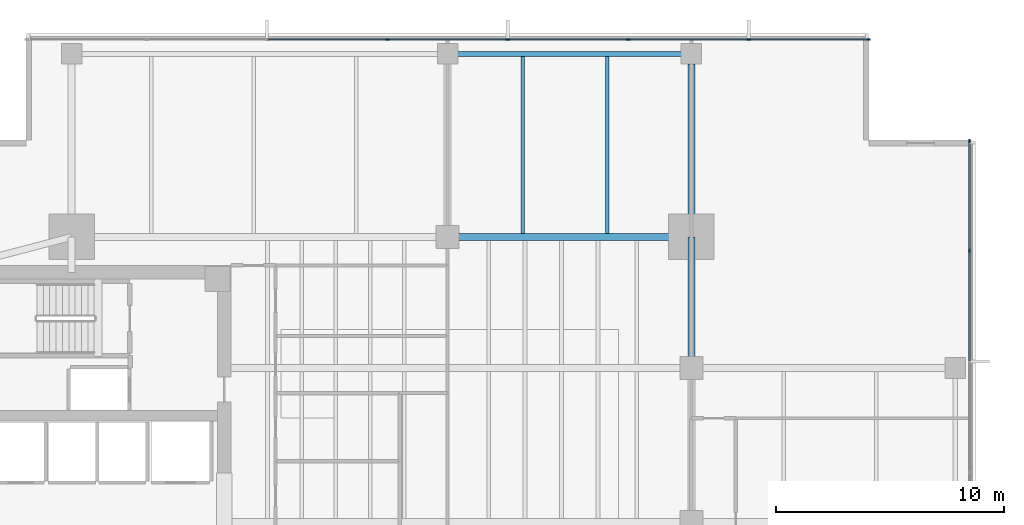
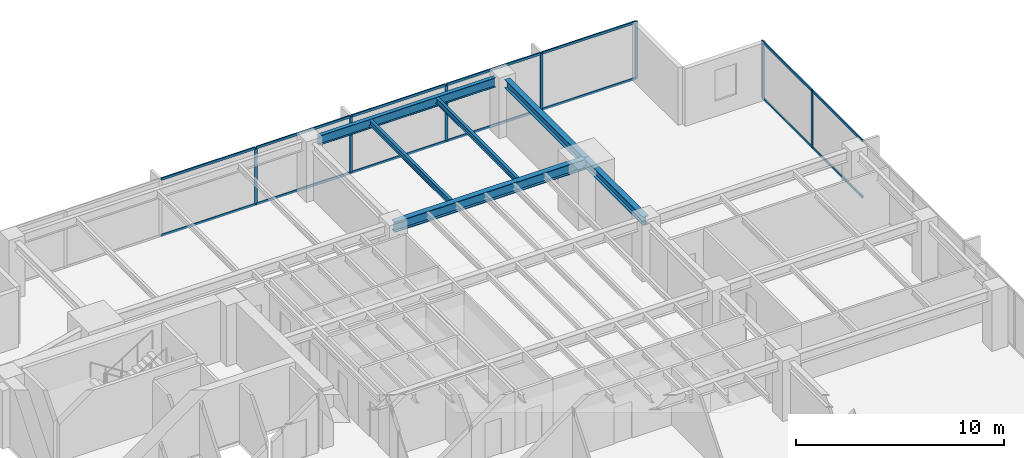
# One storey, part 6 of 15: 21 members, 6 beams, 2 elements without a shape of their own.
"""IFC4 building model written with IfcOpenShell, lengths in metres."""

from ifc_helpers import new_model, si_unit, direction, frame, origin, origin_2d, place, context, subcontext, project, spatial, rectangle, i_section, extrude, material, layer, layer_set, material_profile, profile_set, type_object, element, aggregate, save


model = new_model("IFC4")

# Units and contexts
model_context = context("Model", 3, precision=1e-05, world=origin(), true_north=direction((0.0, 1.0)))
body_context = subcontext(model_context, "Body", "Model", "MODEL_VIEW")
ifc_project = project(units=[si_unit("LENGTHUNIT", "METRE"), si_unit("AREAUNIT", "SQUARE_METRE"), si_unit("VOLUMEUNIT", "CUBIC_METRE"), si_unit("PLANEANGLEUNIT", "RADIAN"), si_unit("MASSUNIT", "GRAM", prefix="KILO")], contexts=[model_context])

# Site, building, storey
site_placement = place(None, origin())
site = spatial("IfcSite", under=ifc_project, at=site_placement, CompositionType="ELEMENT")
building_placement = place(site_placement, origin())
building = spatial("IfcBuilding", under=site, at=building_placement, Name="Kinhvarn Gate Tower", CompositionType="ELEMENT")
storey_placement = place(building_placement, frame((0.0, 0.0, 112.89990234375)))
storey = spatial("IfcBuildingStorey", under=building, at=storey_placement, Name="L29", CompositionType="ELEMENT", Elevation=112.89990234375)

# Curtain wall, members
ifc_material_1 = material(Name="Anodised aluminium AW-6063", Category="aluminium")
ifc_layer = layer(ifc_material_1, 0.179931640625)
ifc_layer_set = layer_set([ifc_layer], Name="Anodised aluminium AW-6063")
curtain_wall_type = type_object("IfcCurtainWallType", Name="CW-SYS-3", PredefinedType="NOTDEFINED", material=ifc_layer_set)
curtain_wall_1_placement = place(storey_placement, origin())
curtain_wall_1 = element("IfcCurtainWall", 1, at=curtain_wall_1_placement, inside=storey, type_object=curtain_wall_type, Name="Curtain Wall CW3 (L29)", PredefinedType="NOTDEFINED")
ifc_material_profile_1 = material_profile(ifc_material_1, rectangle(XDim=0.06494140625, YDim=0.159912109375, at=origin_2d()), Name="ALU 65x160")
ifc_profile_set_1 = profile_set([ifc_material_profile_1], Name="Anodised aluminium AW-6063")
member_type_1 = type_object("IfcMemberType", Name="CW-MUL-160", PredefinedType="MULLION", material=ifc_profile_set_1)
member_1_placement = place(storey_placement, frame((45.967529296875, 46.409912109375, 0.0), z_axis=(0.0, 0.0, 1.0), x_axis=(0.0, -1.0, 0.0)))
member_1 = element("IfcMember", 2, at=member_1_placement, type_object=member_type_1, Name="CW3 mullion 1", PredefinedType="MULLION", context=body_context, shape_type="SweptSolid", body=[
    extrude(rectangle(XDim=0.06494140625, YDim=0.159912109375, at=origin_2d()), origin(), (0.0, 0.0, 1.0), 3.3701171875),
])
member_2_placement = place(storey_placement, frame((40.71435546875, 46.409912109375, 0.0), z_axis=(0.0, 0.0, 1.0), x_axis=(0.0, -1.0, 0.0)))
member_2 = element("IfcMember", 3, at=member_2_placement, type_object=member_type_1, Name="CW3 mullion 2", PredefinedType="MULLION", context=body_context, shape_type="SweptSolid", body=[
    extrude(rectangle(XDim=0.06494140625, YDim=0.159912109375, at=origin_2d()), origin(), (0.0, 0.0, 1.0), 3.3701171875),
])
member_3_placement = place(storey_placement, frame((35.428466796875, 46.409912109375, 0.0), z_axis=(0.0, 0.0, 1.0), x_axis=(0.0, -1.0, 0.0)))
member_3 = element("IfcMember", 4, at=member_3_placement, type_object=member_type_1, Name="CW3 mullion 3", PredefinedType="MULLION", context=body_context, shape_type="SweptSolid", body=[
    extrude(rectangle(XDim=0.06494140625, YDim=0.159912109375, at=origin_2d()), origin(), (0.0, 0.0, 1.0), 3.3701171875),
])
member_4_placement = place(storey_placement, frame((30.142822265625, 46.409912109375, 0.0), z_axis=(0.0, 0.0, 1.0), x_axis=(0.0, -1.0, 0.0)))
member_4 = element("IfcMember", 5, at=member_4_placement, type_object=member_type_1, Name="CW3 mullion 4", PredefinedType="MULLION", context=body_context, shape_type="SweptSolid", body=[
    extrude(rectangle(XDim=0.06494140625, YDim=0.159912109375, at=origin_2d()), origin(), (0.0, 0.0, 1.0), 3.3701171875),
])
member_5_placement = place(storey_placement, frame((24.857177734375, 46.409912109375, 0.0), z_axis=(0.0, 0.0, 1.0), x_axis=(0.0, -1.0, 0.0)))
member_5 = element("IfcMember", 6, at=member_5_placement, type_object=member_type_1, Name="CW3 mullion 5", PredefinedType="MULLION", context=body_context, shape_type="SweptSolid", body=[
    extrude(rectangle(XDim=0.06494140625, YDim=0.159912109375, at=origin_2d()), origin(), (0.0, 0.0, 1.0), 3.3701171875),
])

curtain_wall_2_placement = place(storey_placement, origin())
curtain_wall_2 = element("IfcCurtainWall", 7, at=curtain_wall_2_placement, inside=storey, type_object=curtain_wall_type, Name="Curtain Wall CW3 (L29)", PredefinedType="NOTDEFINED")
member_6_placement = place(storey_placement, frame((50.409912109375, 37.142822265625, 0.0), z_axis=(0.0, 0.0, 1.0), x_axis=(-1.0, 0.0, 0.0)))
member_6 = element("IfcMember", 8, at=member_6_placement, type_object=member_type_1, Name="CW3 mullion 7", PredefinedType="MULLION", context=body_context, shape_type="SweptSolid", body=[
    extrude(rectangle(XDim=0.06494140625, YDim=0.159912109375, at=origin_2d()), origin(), (0.0, 0.0, 1.0), 3.3701171875),
])
member_7_placement = place(storey_placement, frame((50.409912109375, 41.967529296875, 0.0), z_axis=(0.0, 0.0, 1.0), x_axis=(-1.0, 0.0, 0.0)))
member_7 = element("IfcMember", 9, at=member_7_placement, type_object=member_type_1, Name="CW3 mullion 8", PredefinedType="MULLION", context=body_context, shape_type="SweptSolid", body=[
    extrude(rectangle(XDim=0.06494140625, YDim=0.159912109375, at=origin_2d()), origin(), (0.0, 0.0, 1.0), 3.3701171875),
])

# Member
ifc_material_profile_2 = material_profile(ifc_material_1, rectangle(XDim=0.070068359375, YDim=0.139892578125, at=origin_2d()), Name="ALU 70x140")
ifc_profile_set_2 = profile_set([ifc_material_profile_2], Name="Anodised aluminium AW-6063")
member_type_2 = type_object("IfcMemberType", Name="CW-TRN-140", PredefinedType="USERDEFINED", material=ifc_profile_set_2)
member_8_placement = place(storey_placement, frame((45.93505859375, 46.409912109375, 0.03515625), z_axis=(-1.0, 0.0, 0.0), x_axis=(0.0, -1.0, 0.0)))
member_8 = element("IfcMember", 10, at=member_8_placement, type_object=member_type_2, Name="CW3 transom 1.1", ObjectType="TRANSOM", PredefinedType="USERDEFINED", context=body_context, shape_type="SweptSolid", body=[
    extrude(rectangle(XDim=0.070068359375, YDim=0.139892578125, at=origin_2d()), origin(), (0.0, 0.0, 1.0), 5.188232421875),
])

member_9_placement = place(storey_placement, frame((45.93505859375, 46.409912109375, 3.335205078125), z_axis=(-1.0, 0.0, 0.0), x_axis=(0.0, -1.0, 0.0)))
member_9 = element("IfcMember", 11, at=member_9_placement, type_object=member_type_2, Name="CW3 transom 1.2", ObjectType="TRANSOM", PredefinedType="USERDEFINED", context=body_context, shape_type="SweptSolid", body=[
    extrude(rectangle(XDim=0.070068359375, YDim=0.139892578125, at=origin_2d()), origin(), (0.0, 0.0, 1.0), 5.188232421875),
])

member_10_placement = place(storey_placement, frame((40.681884765625, 46.409912109375, 0.03515625), z_axis=(-1.0, 0.0, 0.0), x_axis=(0.0, -1.0, 0.0)))
member_10 = element("IfcMember", 12, at=member_10_placement, type_object=member_type_2, Name="CW3 transom 2.1", ObjectType="TRANSOM", PredefinedType="USERDEFINED", context=body_context, shape_type="SweptSolid", body=[
    extrude(rectangle(XDim=0.070068359375, YDim=0.139892578125, at=origin_2d()), origin(), (0.0, 0.0, 1.0), 5.220703125),
])

member_11_placement = place(storey_placement, frame((40.681884765625, 46.409912109375, 3.335205078125), z_axis=(-1.0, 0.0, 0.0), x_axis=(0.0, -1.0, 0.0)))
member_11 = element("IfcMember", 13, at=member_11_placement, type_object=member_type_2, Name="CW3 transom 2.2", ObjectType="TRANSOM", PredefinedType="USERDEFINED", context=body_context, shape_type="SweptSolid", body=[
    extrude(rectangle(XDim=0.070068359375, YDim=0.139892578125, at=origin_2d()), origin(), (0.0, 0.0, 1.0), 5.220703125),
])

member_12_placement = place(storey_placement, frame((35.39599609375, 46.409912109375, 0.03515625), z_axis=(-1.0, 0.0, 0.0), x_axis=(0.0, -1.0, 0.0)))
member_12 = element("IfcMember", 14, at=member_12_placement, type_object=member_type_2, Name="CW3 transom 3.1", ObjectType="TRANSOM", PredefinedType="USERDEFINED", context=body_context, shape_type="SweptSolid", body=[
    extrude(rectangle(XDim=0.070068359375, YDim=0.139892578125, at=origin_2d()), origin(), (0.0, 0.0, 1.0), 5.220703125),
])

member_13_placement = place(storey_placement, frame((35.39599609375, 46.409912109375, 3.335205078125), z_axis=(-1.0, 0.0, 0.0), x_axis=(0.0, -1.0, 0.0)))
member_13 = element("IfcMember", 15, at=member_13_placement, type_object=member_type_2, Name="CW3 transom 3.2", ObjectType="TRANSOM", PredefinedType="USERDEFINED", context=body_context, shape_type="SweptSolid", body=[
    extrude(rectangle(XDim=0.070068359375, YDim=0.139892578125, at=origin_2d()), origin(), (0.0, 0.0, 1.0), 5.220703125),
])

member_14_placement = place(storey_placement, frame((30.1103515625, 46.409912109375, 0.03515625), z_axis=(-1.0, 0.0, 0.0), x_axis=(0.0, -1.0, 0.0)))
member_14 = element("IfcMember", 16, at=member_14_placement, type_object=member_type_2, Name="CW3 transom 4.1", ObjectType="TRANSOM", PredefinedType="USERDEFINED", context=body_context, shape_type="SweptSolid", body=[
    extrude(rectangle(XDim=0.070068359375, YDim=0.139892578125, at=origin_2d()), origin(), (0.0, 0.0, 1.0), 5.220703125),
])

member_15_placement = place(storey_placement, frame((30.1103515625, 46.409912109375, 3.335205078125), z_axis=(-1.0, 0.0, 0.0), x_axis=(0.0, -1.0, 0.0)))
member_15 = element("IfcMember", 17, at=member_15_placement, type_object=member_type_2, Name="CW3 transom 4.2", ObjectType="TRANSOM", PredefinedType="USERDEFINED", context=body_context, shape_type="SweptSolid", body=[
    extrude(rectangle(XDim=0.070068359375, YDim=0.139892578125, at=origin_2d()), origin(), (0.0, 0.0, 1.0), 5.220703125),
])

member_16_placement = place(storey_placement, frame((24.82470703125, 46.409912109375, 0.03515625), z_axis=(-1.0, 0.0, 0.0), x_axis=(0.0, -1.0, 0.0)))
member_16 = element("IfcMember", 18, at=member_16_placement, type_object=member_type_2, Name="CW3 transom 5.1", ObjectType="TRANSOM", PredefinedType="USERDEFINED", context=body_context, shape_type="SweptSolid", body=[
    extrude(rectangle(XDim=0.070068359375, YDim=0.139892578125, at=origin_2d()), origin(), (0.0, 0.0, 1.0), 5.220703125),
])

member_17_placement = place(storey_placement, frame((24.82470703125, 46.409912109375, 3.335205078125), z_axis=(-1.0, 0.0, 0.0), x_axis=(0.0, -1.0, 0.0)))
member_17 = element("IfcMember", 19, at=member_17_placement, type_object=member_type_2, Name="CW3 transom 5.2", ObjectType="TRANSOM", PredefinedType="USERDEFINED", context=body_context, shape_type="SweptSolid", body=[
    extrude(rectangle(XDim=0.070068359375, YDim=0.139892578125, at=origin_2d()), origin(), (0.0, 0.0, 1.0), 5.220703125),
])

aggregate(curtain_wall_1, [member_1, member_2, member_3, member_4, member_5, member_8, member_9, member_10, member_11, member_12, member_13, member_14, member_15, member_16, member_17])

member_18_placement = place(storey_placement, frame((50.409912109375, 32.318115234375, 0.03515625), z_axis=(0.0, 1.0, 0.0), x_axis=(-1.0, 0.0, 0.0)))
member_18 = element("IfcMember", 20, at=member_18_placement, type_object=member_type_2, Name="CW3 transom 6.1", ObjectType="TRANSOM", PredefinedType="USERDEFINED", context=body_context, shape_type="SweptSolid", body=[
    extrude(rectangle(XDim=0.070068359375, YDim=0.139892578125, at=origin_2d()), origin(), (0.0, 0.0, 1.0), 4.792236328125),
])

member_19_placement = place(storey_placement, frame((50.409912109375, 32.318115234375, 3.335205078125), z_axis=(0.0, 1.0, 0.0), x_axis=(-1.0, 0.0, 0.0)))
member_19 = element("IfcMember", 21, at=member_19_placement, type_object=member_type_2, Name="CW3 transom 6.2", ObjectType="TRANSOM", PredefinedType="USERDEFINED", context=body_context, shape_type="SweptSolid", body=[
    extrude(rectangle(XDim=0.070068359375, YDim=0.139892578125, at=origin_2d()), origin(), (0.0, 0.0, 1.0), 4.792236328125),
])

member_20_placement = place(storey_placement, frame((50.409912109375, 37.17529296875, 0.03515625), z_axis=(0.0, 1.0, 0.0), x_axis=(-1.0, 0.0, 0.0)))
member_20 = element("IfcMember", 22, at=member_20_placement, type_object=member_type_2, Name="CW3 transom 7.1", ObjectType="TRANSOM", PredefinedType="USERDEFINED", context=body_context, shape_type="SweptSolid", body=[
    extrude(rectangle(XDim=0.070068359375, YDim=0.139892578125, at=origin_2d()), origin(), (0.0, 0.0, 1.0), 4.759765625),
])

member_21_placement = place(storey_placement, frame((50.409912109375, 37.17529296875, 3.335205078125), z_axis=(0.0, 1.0, 0.0), x_axis=(-1.0, 0.0, 0.0)))
member_21 = element("IfcMember", 23, at=member_21_placement, type_object=member_type_2, Name="CW3 transom 7.2", ObjectType="TRANSOM", PredefinedType="USERDEFINED", context=body_context, shape_type="SweptSolid", body=[
    extrude(rectangle(XDim=0.070068359375, YDim=0.139892578125, at=origin_2d()), origin(), (0.0, 0.0, 1.0), 4.759765625),
])

aggregate(curtain_wall_2, [member_6, member_7, member_18, member_19, member_20, member_21])

# Beams
ifc_material_2 = material(Name="Steel S355", Category="steel")
ifc_material_profile_3 = material_profile(ifc_material_2, i_section(OverallWidth=0.300048828125, OverallDepth=0.5, WebThickness=0.014404296875, FlangeThickness=0.028076171875, at=origin_2d()), Name="HEB 500")
ifc_profile_set_3 = profile_set([ifc_material_profile_3], Name="Steel S355")
beam_type_1 = type_object("IfcBeamType", Name="STL-HEB500", PredefinedType="BEAM", material=ifc_profile_set_3)
beam_1_placement = place(storey_placement, frame((38.199951171875, 37.75, 3.1201171875), z_axis=(0.0, 1.0, 0.0), x_axis=(-1.0, 0.0, 0.0)))
element("IfcBeam", 24, at=beam_1_placement, inside=storey, type_object=beam_type_1, Name="Floor Beam PG-14 (L29 MCE-N)", PredefinedType="BEAM", context=body_context, shape_type="SweptSolid", body=[
    extrude(i_section(OverallWidth=0.300048828125, OverallDepth=0.5, WebThickness=0.014404296875, FlangeThickness=0.028076171875, at=origin_2d()), origin(), (0.0, 0.0, 1.0), 7.594970703125),
])
beam_2_placement = place(storey_placement, frame((38.199951171875, 32.0, 3.1201171875), z_axis=(0.0, 1.0, 0.0), x_axis=(-1.0, 0.0, 0.0)))
element("IfcBeam", 25, at=beam_2_placement, inside=storey, type_object=beam_type_1, Name="Floor Beam PG-14 (L29 MG-E-32)", PredefinedType="BEAM", context=body_context, shape_type="SweptSolid", body=[
    extrude(i_section(OverallWidth=0.300048828125, OverallDepth=0.5, WebThickness=0.014404296875, FlangeThickness=0.028076171875, at=origin_2d()), origin(), (0.0, 0.0, 1.0), 5.75),
])
ifc_material_profile_4 = material_profile(ifc_material_2, i_section(OverallWidth=0.300048828125, OverallDepth=0.60009765625, WebThickness=0.015380859375, FlangeThickness=0.030029296875, at=origin_2d()), Name="HEB 600")
ifc_profile_set_4 = profile_set([ifc_material_profile_4], Name="Steel S355")
beam_type_2 = type_object("IfcBeamType", Name="STL-HEB600", PredefinedType="BEAM", material=ifc_profile_set_4)
beam_3_placement = place(storey_placement, frame((27.5, 37.75, 3.070068359375), z_axis=(1.0, 0.0, 0.0), x_axis=(0.0, 1.0, 0.0)))
element("IfcBeam", 26, at=beam_3_placement, inside=storey, type_object=beam_type_2, Name="Floor Beam PG-16 (L29 MG-N2)", PredefinedType="BEAM", context=body_context, shape_type="SweptSolid", body=[
    extrude(i_section(OverallWidth=0.300048828125, OverallDepth=0.60009765625, WebThickness=0.015380859375, FlangeThickness=0.030029296875, at=origin_2d()), origin(), (0.0, 0.0, 1.0), 10.699951171875),
])
ifc_material_profile_5 = material_profile(ifc_material_2, i_section(OverallWidth=0.159912109375, OverallDepth=0.330078125, WebThickness=0.007568359375, FlangeThickness=0.011474609375, at=origin_2d()), Name="IPE 330")
ifc_profile_set_5 = profile_set([ifc_material_profile_5], Name="Steel S355")
beam_type_3 = type_object("IfcBeamType", Name="STL-IPE330", PredefinedType="JOIST", material=ifc_profile_set_5)
for number, where, z_axis, x_axis, name in (
    (27, (30.800048828125, 37.89990234375, 3.205078125), (0.0, 1.0, 0.0), (-1.0, 0.0, 0.0), "Floor Joist SB-03 (L29 JN-X308)"),
    (28, (34.5, 37.89990234375, 3.205078125), (0.0, 1.0, 0.0), (-1.0, 0.0, 0.0), "Floor Joist SB-03 (L29 JN-X345)"),
):
    element("IfcBeam", number, at=place(storey_placement, frame(where, z_axis=z_axis, x_axis=x_axis)), inside=storey, type_object=beam_type_3, Name=name, PredefinedType="JOIST", context=body_context, shape_type="SweptSolid", body=[
        extrude(i_section(OverallWidth=0.159912109375, OverallDepth=0.330078125, WebThickness=0.007568359375, FlangeThickness=0.011474609375, at=origin_2d()), origin(), (0.0, 0.0, 1.0), 7.775146484375),
    ])
ifc_material_profile_6 = material_profile(ifc_material_2, i_section(OverallWidth=0.2099609375, OverallDepth=0.550048828125, WebThickness=0.010986328125, FlangeThickness=0.01708984375, at=origin_2d()), Name="IPE 550")
ifc_profile_set_6 = profile_set([ifc_material_profile_6], Name="Steel S355")
beam_type_4 = type_object("IfcBeamType", Name="STL-IPE550", PredefinedType="SPANDREL", material=ifc_profile_set_6)
beam_4_placement = place(storey_placement, frame((27.93505859375, 45.780029296875, 3.09521484375), z_axis=(1.0, 0.0, 0.0), x_axis=(0.0, 1.0, 0.0)))
element("IfcBeam", 29, at=beam_4_placement, inside=storey, type_object=beam_type_4, Name="Floor Spandrel SB-08 (L29 SP-N2)", PredefinedType="SPANDREL", context=body_context, shape_type="SweptSolid", body=[
    extrude(i_section(OverallWidth=0.2099609375, OverallDepth=0.550048828125, WebThickness=0.010986328125, FlangeThickness=0.01708984375, at=origin_2d()), origin(), (0.0, 0.0, 1.0), 9.829833984375),
])

save(model, "model.ifc")
